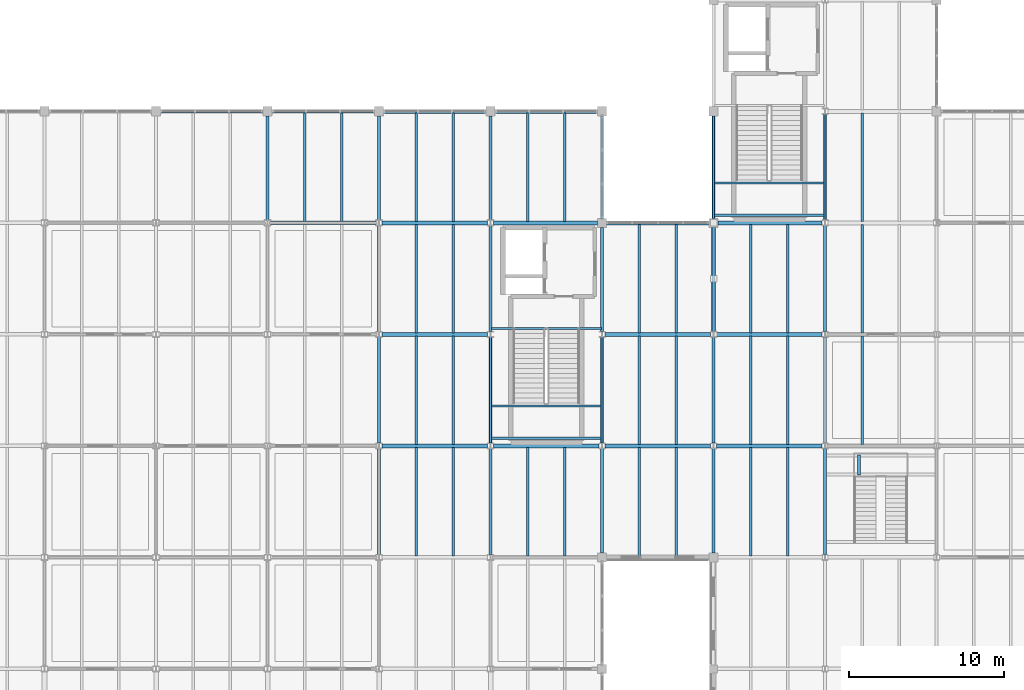
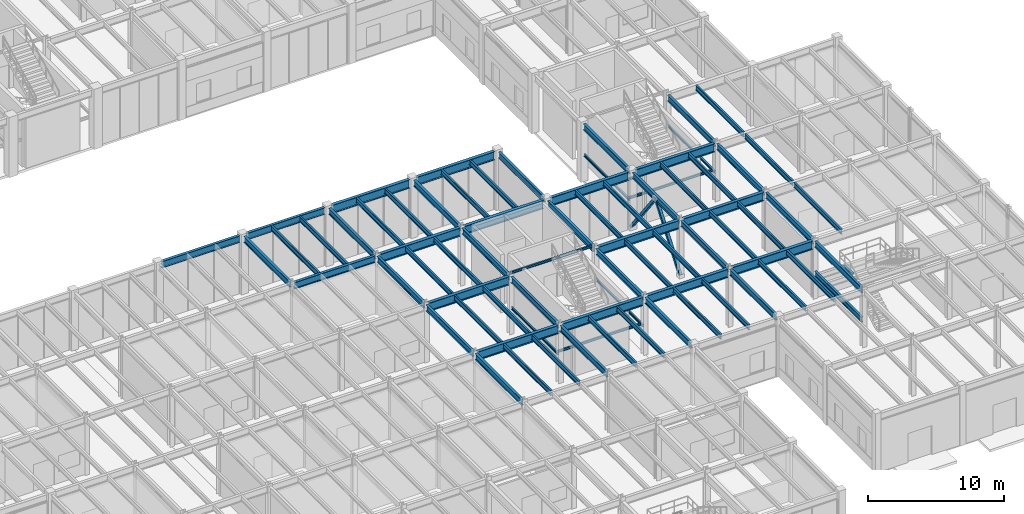
# One storey, part 23 of 97: 77 beams, 2 members.
"""IFC4 building model written with IfcOpenShell, lengths in metres."""

from ifc_helpers import new_model, si_unit, direction, frame, origin, origin_2d, place, context, subcontext, project, spatial, hollow_rectangle, i_section, extrude, material, material_profile, profile_set, type_object, element, save


model = new_model("IFC4")

# Units and contexts
model_context = context("Model", 3, precision=1e-05, world=origin(), true_north=direction((0.0, 1.0)))
body_context = subcontext(model_context, "Body", "Model", "MODEL_VIEW")
ifc_project = project(units=[si_unit("LENGTHUNIT", "METRE"), si_unit("AREAUNIT", "SQUARE_METRE"), si_unit("VOLUMEUNIT", "CUBIC_METRE"), si_unit("PLANEANGLEUNIT", "RADIAN"), si_unit("MASSUNIT", "GRAM", prefix="KILO")], contexts=[model_context])

# Site, building, storey
site_placement = place(None, origin())
site = spatial("IfcSite", under=ifc_project, at=site_placement, CompositionType="ELEMENT")
building_placement = place(site_placement, origin())
building = spatial("IfcBuilding", under=site, at=building_placement, Name="Sillqori Civic Hall", CompositionType="ELEMENT")
storey_placement = place(building_placement, origin())
storey = spatial("IfcBuildingStorey", under=building, at=storey_placement, Name="L01", CompositionType="ELEMENT", Elevation=0.0)

# Beams
ifc_material_1 = material(Name="Steel ASTM A992", Category="steel")
ifc_material_profile_1 = material_profile(ifc_material_1, i_section(OverallWidth=0.19091796875, OverallDepth=0.4599609375, WebThickness=0.010009765625, FlangeThickness=0.01611328125, FilletRadius=0.012939453125, at=origin_2d()), Name="W18X55")
ifc_profile_set_1 = profile_set([ifc_material_profile_1], Name="Steel ASTM A992")
beam_type_1 = type_object("IfcBeamType", Name="BM-W18X55", PredefinedType="BEAM", material=ifc_profile_set_1)
beam_1_placement = place(storey_placement, frame((129.60009765625, 28.97802734375, 2.27490234375), z_axis=(0.0, 1.0, 0.0), x_axis=(-1.0, 0.0, 0.0)))
element("IfcBeam", 1, at=beam_1_placement, inside=storey, type_object=beam_type_1, Name="Members Library Reading Stair L01-L02 landing stringer girder W", PredefinedType="BEAM", context=body_context, shape_type="SweptSolid", body=[
    extrude(i_section(OverallWidth=0.19091796875, OverallDepth=0.4599609375, WebThickness=0.010009765625, FlangeThickness=0.01611328125, FilletRadius=0.012939453125, at=origin_2d()), origin(), (0.0, 0.0, 1.0), 6.840087890625),
])
beam_2_placement = place(storey_placement, frame((131.800048828125, 34.1201171875, 2.27490234375), z_axis=(0.0, 1.0, 0.0), x_axis=(-1.0, 0.0, 0.0)))
element("IfcBeam", 2, at=beam_2_placement, inside=storey, type_object=beam_type_1, Name="Members Library Reading Stair L01-L02 half-landing spine rib", PredefinedType="BEAM", context=body_context, shape_type="SweptSolid", body=[
    extrude(i_section(OverallWidth=0.19091796875, OverallDepth=0.4599609375, WebThickness=0.010009765625, FlangeThickness=0.01611328125, FilletRadius=0.012939453125, at=origin_2d()), origin(), (0.0, 0.0, 1.0), 1.289794921875),
])
ifc_material_profile_2 = material_profile(ifc_material_1, i_section(OverallWidth=0.2099609375, OverallDepth=0.532958984375, WebThickness=0.01025390625, FlangeThickness=0.015625, FilletRadius=0.013916015625, at=origin_2d()), Name="W21X62")
ifc_profile_set_2 = profile_set([ifc_material_profile_2], Name="Steel ASTM A992")
beam_type_2 = type_object("IfcBeamType", Name="BM-W21X62", PredefinedType="BEAM", material=ifc_profile_set_2)
beam_3_placement = place(storey_placement, frame((93.60009765625, 50.58203125, 4.93359375), z_axis=(0.0, 1.0, 0.0), x_axis=(-1.0, 0.0, 0.0)))
element("IfcBeam", 3, at=beam_3_placement, inside=storey, type_object=beam_type_2, Name="L01 girder Y 13-7", PredefinedType="BEAM", context=body_context, shape_type="SweptSolid", body=[
    extrude(i_section(OverallWidth=0.2099609375, OverallDepth=0.532958984375, WebThickness=0.01025390625, FlangeThickness=0.015625, FilletRadius=0.013916015625, at=origin_2d()), origin(), (0.0, 0.0, 1.0), 6.723876953125),
])
for number, where, z_axis, x_axis, name in (
    (4, (100.800048828125, 28.98193359375, 4.93359375), (0.0, 1.0, 0.0), (-1.0, 0.0, 0.0), "L01 girder Y 14-4"),
    (5, (100.800048828125, 36.181884765625, 4.93359375), (0.0, 1.0, 0.0), (-1.0, 0.0, 0.0), "L01 girder Y 14-5"),
):
    element("IfcBeam", number, at=place(storey_placement, frame(where, z_axis=z_axis, x_axis=x_axis)), inside=storey, type_object=beam_type_2, Name=name, PredefinedType="BEAM", context=body_context, shape_type="SweptSolid", body=[
        extrude(i_section(OverallWidth=0.2099609375, OverallDepth=0.532958984375, WebThickness=0.01025390625, FlangeThickness=0.015625, FilletRadius=0.013916015625, at=origin_2d()), origin(), (0.0, 0.0, 1.0), 6.836181640625),
    ])
beam_4_placement = place(storey_placement, frame((100.800048828125, 43.382080078125, 4.93359375), z_axis=(0.0, 1.0, 0.0), x_axis=(-1.0, 0.0, 0.0)))
element("IfcBeam", 6, at=beam_4_placement, inside=storey, type_object=beam_type_2, Name="L01 girder Y 14-6", PredefinedType="BEAM", context=body_context, shape_type="SweptSolid", body=[
    extrude(i_section(OverallWidth=0.2099609375, OverallDepth=0.532958984375, WebThickness=0.01025390625, FlangeThickness=0.015625, FilletRadius=0.013916015625, at=origin_2d()), origin(), (0.0, 0.0, 1.0), 6.8359375),
])
beam_5_placement = place(storey_placement, frame((100.800048828125, 50.58203125, 4.93359375), z_axis=(0.0, 1.0, 0.0), x_axis=(-1.0, 0.0, 0.0)))
element("IfcBeam", 7, at=beam_5_placement, inside=storey, type_object=beam_type_2, Name="L01 girder Y 14-7", PredefinedType="BEAM", context=body_context, shape_type="SweptSolid", body=[
    extrude(i_section(OverallWidth=0.2099609375, OverallDepth=0.532958984375, WebThickness=0.01025390625, FlangeThickness=0.015625, FilletRadius=0.013916015625, at=origin_2d()), origin(), (0.0, 0.0, 1.0), 6.723876953125),
])
for number, where, z_axis, x_axis, name in (
    (8, (108.0, 28.98193359375, 4.93359375), (0.0, 1.0, 0.0), (-1.0, 0.0, 0.0), "L01 girder Y 15-4"),
    (9, (108.0, 36.181884765625, 4.93359375), (0.0, 1.0, 0.0), (-1.0, 0.0, 0.0), "L01 girder Y 15-5"),
):
    element("IfcBeam", number, at=place(storey_placement, frame(where, z_axis=z_axis, x_axis=x_axis)), inside=storey, type_object=beam_type_2, Name=name, PredefinedType="BEAM", context=body_context, shape_type="SweptSolid", body=[
        extrude(i_section(OverallWidth=0.2099609375, OverallDepth=0.532958984375, WebThickness=0.01025390625, FlangeThickness=0.015625, FilletRadius=0.013916015625, at=origin_2d()), origin(), (0.0, 0.0, 1.0), 6.836181640625),
    ])
beam_6_placement = place(storey_placement, frame((108.0, 43.382080078125, 4.93359375), z_axis=(0.0, 1.0, 0.0), x_axis=(-1.0, 0.0, 0.0)))
element("IfcBeam", 10, at=beam_6_placement, inside=storey, type_object=beam_type_2, Name="L01 girder Y 15-6", PredefinedType="BEAM", context=body_context, shape_type="SweptSolid", body=[
    extrude(i_section(OverallWidth=0.2099609375, OverallDepth=0.532958984375, WebThickness=0.01025390625, FlangeThickness=0.015625, FilletRadius=0.013916015625, at=origin_2d()), origin(), (0.0, 0.0, 1.0), 6.8359375),
])
beam_7_placement = place(storey_placement, frame((108.0, 50.58203125, 4.93359375), z_axis=(0.0, 1.0, 0.0), x_axis=(-1.0, 0.0, 0.0)))
element("IfcBeam", 11, at=beam_7_placement, inside=storey, type_object=beam_type_2, Name="L01 girder Y 15-7", PredefinedType="BEAM", context=body_context, shape_type="SweptSolid", body=[
    extrude(i_section(OverallWidth=0.2099609375, OverallDepth=0.532958984375, WebThickness=0.01025390625, FlangeThickness=0.015625, FilletRadius=0.013916015625, at=origin_2d()), origin(), (0.0, 0.0, 1.0), 6.723876953125),
])
beam_8_placement = place(storey_placement, frame((115.199951171875, 29.093994140625, 4.93359375), z_axis=(0.0, 1.0, 0.0), x_axis=(-1.0, 0.0, 0.0)))
element("IfcBeam", 12, at=beam_8_placement, inside=storey, type_object=beam_type_2, Name="L01 girder Y 16-4", PredefinedType="BEAM", context=body_context, shape_type="SweptSolid", body=[
    extrude(i_section(OverallWidth=0.2099609375, OverallDepth=0.532958984375, WebThickness=0.01025390625, FlangeThickness=0.015625, FilletRadius=0.013916015625, at=origin_2d()), origin(), (0.0, 0.0, 1.0), 6.72412109375),
])
beam_9_placement = place(storey_placement, frame((115.199951171875, 36.181884765625, 4.93359375), z_axis=(0.0, 1.0, 0.0), x_axis=(-1.0, 0.0, 0.0)))
element("IfcBeam", 13, at=beam_9_placement, inside=storey, type_object=beam_type_2, Name="L01 girder Y 16-5", PredefinedType="BEAM", context=body_context, shape_type="SweptSolid", body=[
    extrude(i_section(OverallWidth=0.2099609375, OverallDepth=0.532958984375, WebThickness=0.01025390625, FlangeThickness=0.015625, FilletRadius=0.013916015625, at=origin_2d()), origin(), (0.0, 0.0, 1.0), 6.836181640625),
])
beam_10_placement = place(storey_placement, frame((115.199951171875, 43.382080078125, 4.93359375), z_axis=(0.0, 1.0, 0.0), x_axis=(-1.0, 0.0, 0.0)))
element("IfcBeam", 14, at=beam_10_placement, inside=storey, type_object=beam_type_2, Name="L01 girder Y 16-6", PredefinedType="BEAM", context=body_context, shape_type="SweptSolid", body=[
    extrude(i_section(OverallWidth=0.2099609375, OverallDepth=0.532958984375, WebThickness=0.01025390625, FlangeThickness=0.015625, FilletRadius=0.013916015625, at=origin_2d()), origin(), (0.0, 0.0, 1.0), 6.723876953125),
])
beam_11_placement = place(storey_placement, frame((115.199951171875, 50.694091796875, 4.93359375), z_axis=(0.0, 1.0, 0.0), x_axis=(-1.0, 0.0, 0.0)))
element("IfcBeam", 15, at=beam_11_placement, inside=storey, type_object=beam_type_2, Name="L01 girder Y 16-7", PredefinedType="BEAM", context=body_context, shape_type="SweptSolid", body=[
    extrude(i_section(OverallWidth=0.2099609375, OverallDepth=0.532958984375, WebThickness=0.01025390625, FlangeThickness=0.015625, FilletRadius=0.013916015625, at=origin_2d()), origin(), (0.0, 0.0, 1.0), 6.61181640625),
])
beam_12_placement = place(storey_placement, frame((122.39990234375, 29.093994140625, 4.93359375), z_axis=(0.0, 1.0, 0.0), x_axis=(-1.0, 0.0, 0.0)))
element("IfcBeam", 16, at=beam_12_placement, inside=storey, type_object=beam_type_2, Name="L01 girder Y 17-4", PredefinedType="BEAM", context=body_context, shape_type="SweptSolid", body=[
    extrude(i_section(OverallWidth=0.2099609375, OverallDepth=0.532958984375, WebThickness=0.01025390625, FlangeThickness=0.015625, FilletRadius=0.013916015625, at=origin_2d()), origin(), (0.0, 0.0, 1.0), 6.72412109375),
])
beam_13_placement = place(storey_placement, frame((122.39990234375, 36.181884765625, 4.93359375), z_axis=(0.0, 1.0, 0.0), x_axis=(-1.0, 0.0, 0.0)))
element("IfcBeam", 17, at=beam_13_placement, inside=storey, type_object=beam_type_2, Name="L01 girder Y 17-5", PredefinedType="BEAM", context=body_context, shape_type="SweptSolid", body=[
    extrude(i_section(OverallWidth=0.2099609375, OverallDepth=0.532958984375, WebThickness=0.01025390625, FlangeThickness=0.015625, FilletRadius=0.013916015625, at=origin_2d()), origin(), (0.0, 0.0, 1.0), 6.836181640625),
])
beam_14_placement = place(storey_placement, frame((122.39990234375, 43.382080078125, 4.93359375), z_axis=(0.0, 1.0, 0.0), x_axis=(-1.0, 0.0, 0.0)))
element("IfcBeam", 18, at=beam_14_placement, inside=storey, type_object=beam_type_2, Name="L01 girder Y 17-6", PredefinedType="BEAM", context=body_context, shape_type="SweptSolid", body=[
    extrude(i_section(OverallWidth=0.2099609375, OverallDepth=0.532958984375, WebThickness=0.01025390625, FlangeThickness=0.015625, FilletRadius=0.013916015625, at=origin_2d()), origin(), (0.0, 0.0, 1.0), 6.723876953125),
])
beam_15_placement = place(storey_placement, frame((122.39990234375, 50.694091796875, 4.93359375), z_axis=(0.0, 1.0, 0.0), x_axis=(-1.0, 0.0, 0.0)))
element("IfcBeam", 19, at=beam_15_placement, inside=storey, type_object=beam_type_2, Name="L01 girder Y 17-7", PredefinedType="BEAM", context=body_context, shape_type="SweptSolid", body=[
    extrude(i_section(OverallWidth=0.2099609375, OverallDepth=0.532958984375, WebThickness=0.01025390625, FlangeThickness=0.015625, FilletRadius=0.013916015625, at=origin_2d()), origin(), (0.0, 0.0, 1.0), 6.61181640625),
])
beam_16_placement = place(storey_placement, frame((129.60009765625, 28.97802734375, 4.93359375), z_axis=(0.0, 1.0, 0.0), x_axis=(-1.0, 0.0, 0.0)))
element("IfcBeam", 20, at=beam_16_placement, inside=storey, type_object=beam_type_2, Name="L01 girder Y 18-4", PredefinedType="BEAM", context=body_context, shape_type="SweptSolid", body=[
    extrude(i_section(OverallWidth=0.2099609375, OverallDepth=0.532958984375, WebThickness=0.01025390625, FlangeThickness=0.015625, FilletRadius=0.013916015625, at=origin_2d()), origin(), (0.0, 0.0, 1.0), 6.840087890625),
])
beam_17_placement = place(storey_placement, frame((129.60009765625, 36.181884765625, 4.93359375), z_axis=(0.0, 1.0, 0.0), x_axis=(-1.0, 0.0, 0.0)))
element("IfcBeam", 21, at=beam_17_placement, inside=storey, type_object=beam_type_2, Name="L01 girder Y 18-5", PredefinedType="BEAM", context=body_context, shape_type="SweptSolid", body=[
    extrude(i_section(OverallWidth=0.2099609375, OverallDepth=0.532958984375, WebThickness=0.01025390625, FlangeThickness=0.015625, FilletRadius=0.013916015625, at=origin_2d()), origin(), (0.0, 0.0, 1.0), 6.836181640625),
])
for number, where, z_axis, x_axis, name in (
    (22, (129.60009765625, 43.382080078125, 4.93359375), (0.0, 1.0, 0.0), (-1.0, 0.0, 0.0), "L01 girder Y 18-6"),
    (23, (129.60009765625, 50.58203125, 4.93359375), (0.0, 1.0, 0.0), (-1.0, 0.0, 0.0), "L01 girder Y 18-7"),
):
    element("IfcBeam", number, at=place(storey_placement, frame(where, z_axis=z_axis, x_axis=x_axis)), inside=storey, type_object=beam_type_2, Name=name, PredefinedType="BEAM", context=body_context, shape_type="SweptSolid", body=[
        extrude(i_section(OverallWidth=0.2099609375, OverallDepth=0.532958984375, WebThickness=0.01025390625, FlangeThickness=0.015625, FilletRadius=0.013916015625, at=origin_2d()), origin(), (0.0, 0.0, 1.0), 6.8359375),
    ])
ifc_material_profile_3 = material_profile(ifc_material_1, i_section(OverallWidth=0.22802734375, OverallDepth=0.60205078125, WebThickness=0.010498046875, FlangeThickness=0.014892578125, FilletRadius=0.014892578125, at=origin_2d()), Name="W24X68")
ifc_profile_set_3 = profile_set([ifc_material_profile_3], Name="Steel ASTM A992")
beam_type_3 = type_object("IfcBeamType", Name="BM-W24X68", PredefinedType="BEAM", material=ifc_profile_set_3)
beam_18_placement = place(storey_placement, frame((86.694091796875, 57.60009765625, 4.89892578125), z_axis=(1.0, 0.0, 0.0), x_axis=(0.0, 1.0, 0.0)))
element("IfcBeam", 24, at=beam_18_placement, inside=storey, type_object=beam_type_3, Name="L01 girder X 12-8", PredefinedType="BEAM", context=body_context, shape_type="SweptSolid", body=[
    extrude(i_section(OverallWidth=0.22802734375, OverallDepth=0.60205078125, WebThickness=0.010498046875, FlangeThickness=0.014892578125, FilletRadius=0.014892578125, at=origin_2d()), origin(), (0.0, 0.0, 1.0), 6.61181640625),
])
beam_19_placement = place(storey_placement, frame((93.791015625, 50.39990234375, 4.89892578125), z_axis=(1.0, 0.0, 0.0), x_axis=(0.0, 1.0, 0.0)))
element("IfcBeam", 25, at=beam_19_placement, inside=storey, type_object=beam_type_3, Name="L01 girder X 13-7", PredefinedType="BEAM", context=body_context, shape_type="SweptSolid", body=[
    extrude(i_section(OverallWidth=0.22802734375, OverallDepth=0.60205078125, WebThickness=0.010498046875, FlangeThickness=0.014892578125, FilletRadius=0.014892578125, at=origin_2d()), origin(), (0.0, 0.0, 1.0), 6.81787109375),
])
beam_20_placement = place(storey_placement, frame((93.89404296875, 57.60009765625, 4.89892578125), z_axis=(1.0, 0.0, 0.0), x_axis=(0.0, 1.0, 0.0)))
element("IfcBeam", 26, at=beam_20_placement, inside=storey, type_object=beam_type_3, Name="L01 girder X 13-8", PredefinedType="BEAM", context=body_context, shape_type="SweptSolid", body=[
    extrude(i_section(OverallWidth=0.22802734375, OverallDepth=0.60205078125, WebThickness=0.010498046875, FlangeThickness=0.014892578125, FilletRadius=0.014892578125, at=origin_2d()), origin(), (0.0, 0.0, 1.0), 6.612060546875),
])
ifc_material_profile_4 = material_profile(ifc_material_1, i_section(OverallWidth=0.26708984375, OverallDepth=0.761962890625, WebThickness=0.014404296875, FlangeThickness=0.021484375, FilletRadius=0.01708984375, at=origin_2d()), Name="W30X116")
ifc_profile_set_4 = profile_set([ifc_material_profile_4], Name="Steel ASTM A992")
beam_type_4 = type_object("IfcBeamType", Name="BM-W30X116", PredefinedType="BEAM", material=ifc_profile_set_4)
for number, where, z_axis, x_axis, name in (
    (27, (100.990966796875, 36.0, 4.819091796875), (1.0, 0.0, 0.0), (0.0, 1.0, 0.0), "L01 girder X 14-5"),
    (28, (100.990966796875, 43.199951171875, 4.819091796875), (1.0, 0.0, 0.0), (0.0, 1.0, 0.0), "L01 girder X 14-6"),
    (29, (100.990966796875, 50.39990234375, 4.819091796875), (1.0, 0.0, 0.0), (0.0, 1.0, 0.0), "L01 girder X 14-7"),
):
    element("IfcBeam", number, at=place(storey_placement, frame(where, z_axis=z_axis, x_axis=x_axis)), inside=storey, type_object=beam_type_4, Name=name, PredefinedType="BEAM", context=body_context, shape_type="SweptSolid", body=[
        extrude(i_section(OverallWidth=0.26708984375, OverallDepth=0.761962890625, WebThickness=0.014404296875, FlangeThickness=0.021484375, FilletRadius=0.01708984375, at=origin_2d()), origin(), (0.0, 0.0, 1.0), 6.818115234375),
    ])
beam_21_placement = place(storey_placement, frame((101.093994140625, 57.60009765625, 4.819091796875), z_axis=(1.0, 0.0, 0.0), x_axis=(0.0, 1.0, 0.0)))
element("IfcBeam", 30, at=beam_21_placement, inside=storey, type_object=beam_type_4, Name="L01 girder X 14-8", PredefinedType="BEAM", context=body_context, shape_type="SweptSolid", body=[
    extrude(i_section(OverallWidth=0.26708984375, OverallDepth=0.761962890625, WebThickness=0.014404296875, FlangeThickness=0.021484375, FilletRadius=0.01708984375, at=origin_2d()), origin(), (0.0, 0.0, 1.0), 6.612060546875),
])
beam_22_placement = place(storey_placement, frame((108.19091796875, 36.0, 4.819091796875), z_axis=(1.0, 0.0, 0.0), x_axis=(0.0, 1.0, 0.0)))
element("IfcBeam", 31, at=beam_22_placement, inside=storey, type_object=beam_type_4, Name="L01 girder X 15-5", PredefinedType="BEAM", context=body_context, shape_type="SweptSolid", body=[
    extrude(i_section(OverallWidth=0.26708984375, OverallDepth=0.761962890625, WebThickness=0.014404296875, FlangeThickness=0.021484375, FilletRadius=0.01708984375, at=origin_2d()), origin(), (0.0, 0.0, 1.0), 6.818115234375),
])
beam_23_placement = place(storey_placement, frame((108.19091796875, 50.39990234375, 4.819091796875), z_axis=(1.0, 0.0, 0.0), x_axis=(0.0, 1.0, 0.0)))
element("IfcBeam", 32, at=beam_23_placement, inside=storey, type_object=beam_type_4, Name="L01 girder X 15-7", PredefinedType="BEAM", context=body_context, shape_type="SweptSolid", body=[
    extrude(i_section(OverallWidth=0.26708984375, OverallDepth=0.761962890625, WebThickness=0.014404296875, FlangeThickness=0.021484375, FilletRadius=0.01708984375, at=origin_2d()), origin(), (0.0, 0.0, 1.0), 6.715087890625),
])
beam_24_placement = place(storey_placement, frame((108.2939453125, 57.60009765625, 4.819091796875), z_axis=(1.0, 0.0, 0.0), x_axis=(0.0, 1.0, 0.0)))
element("IfcBeam", 33, at=beam_24_placement, inside=storey, type_object=beam_type_4, Name="L01 girder X 15-8", PredefinedType="BEAM", context=body_context, shape_type="SweptSolid", body=[
    extrude(i_section(OverallWidth=0.26708984375, OverallDepth=0.761962890625, WebThickness=0.014404296875, FlangeThickness=0.021484375, FilletRadius=0.01708984375, at=origin_2d()), origin(), (0.0, 0.0, 1.0), 6.612060546875),
])
for number, where, z_axis, x_axis, name in (
    (34, (115.39111328125, 36.0, 4.819091796875), (1.0, 0.0, 0.0), (0.0, 1.0, 0.0), "L01 girder X 16-5"),
    (35, (115.39111328125, 43.199951171875, 4.819091796875), (1.0, 0.0, 0.0), (0.0, 1.0, 0.0), "L01 girder X 16-6"),
):
    element("IfcBeam", number, at=place(storey_placement, frame(where, z_axis=z_axis, x_axis=x_axis)), inside=storey, type_object=beam_type_4, Name=name, PredefinedType="BEAM", context=body_context, shape_type="SweptSolid", body=[
        extrude(i_section(OverallWidth=0.26708984375, OverallDepth=0.761962890625, WebThickness=0.014404296875, FlangeThickness=0.021484375, FilletRadius=0.01708984375, at=origin_2d()), origin(), (0.0, 0.0, 1.0), 6.81787109375),
    ])
beam_25_placement = place(storey_placement, frame((115.493896484375, 50.39990234375, 4.819091796875), z_axis=(1.0, 0.0, 0.0), x_axis=(0.0, 1.0, 0.0)))
element("IfcBeam", 36, at=beam_25_placement, inside=storey, type_object=beam_type_4, Name="L01 girder X 16-7", PredefinedType="BEAM", context=body_context, shape_type="SweptSolid", body=[
    extrude(i_section(OverallWidth=0.26708984375, OverallDepth=0.761962890625, WebThickness=0.014404296875, FlangeThickness=0.021484375, FilletRadius=0.01708984375, at=origin_2d()), origin(), (0.0, 0.0, 1.0), 6.612060546875),
])
for number, where, z_axis, x_axis, name in (
    (37, (122.591064453125, 36.0, 4.819091796875), (1.0, 0.0, 0.0), (0.0, 1.0, 0.0), "L01 girder X 17-5"),
    (38, (122.591064453125, 43.199951171875, 4.819091796875), (1.0, 0.0, 0.0), (0.0, 1.0, 0.0), "L01 girder X 17-6"),
):
    element("IfcBeam", number, at=place(storey_placement, frame(where, z_axis=z_axis, x_axis=x_axis)), inside=storey, type_object=beam_type_4, Name=name, PredefinedType="BEAM", context=body_context, shape_type="SweptSolid", body=[
        extrude(i_section(OverallWidth=0.26708984375, OverallDepth=0.761962890625, WebThickness=0.014404296875, FlangeThickness=0.021484375, FilletRadius=0.01708984375, at=origin_2d()), origin(), (0.0, 0.0, 1.0), 6.81787109375),
    ])
beam_26_placement = place(storey_placement, frame((122.694091796875, 50.39990234375, 4.819091796875), z_axis=(1.0, 0.0, 0.0), x_axis=(0.0, 1.0, 0.0)))
element("IfcBeam", 39, at=beam_26_placement, inside=storey, type_object=beam_type_4, Name="L01 girder X 17-7", PredefinedType="BEAM", context=body_context, shape_type="SweptSolid", body=[
    extrude(i_section(OverallWidth=0.26708984375, OverallDepth=0.761962890625, WebThickness=0.014404296875, FlangeThickness=0.021484375, FilletRadius=0.01708984375, at=origin_2d()), origin(), (0.0, 0.0, 1.0), 6.71484375),
])

# Members
ifc_material_2 = material(Name="Steel ASTM A500 Grade C", Category="steel")
ifc_material_profile_5 = material_profile(ifc_material_2, hollow_rectangle(XDim=0.25, YDim=0.25, WallThickness=0.011962890625, InnerFilletRadius=0.011962890625, OuterFilletRadius=0.02392578125, at=origin_2d()), Name="HSS250X250X12")
ifc_profile_set_5 = profile_set([ifc_material_profile_5], Name="Steel ASTM A500 Grade C")
member_type = type_object("IfcMemberType", Name="BR-HSS250", PredefinedType="BRACE", material=ifc_profile_set_5)
member_1_placement = place(storey_placement, frame((122.39990234375, 43.199951171875, 0.14990234375), z_axis=(0.0, 0.60402960076, 0.796961882028), x_axis=(-1.0, 0.0, 0.0)))
element("IfcMember", 40, at=member_1_placement, inside=storey, type_object=member_type, Name="L01 seismic chevron brace L Y17-6", PredefinedType="BRACE", context=body_context, shape_type="SweptSolid", body=[
    extrude(hollow_rectangle(XDim=0.25, YDim=0.25, WallThickness=0.011962890625, InnerFilletRadius=0.011962890625, OuterFilletRadius=0.02392578125, at=origin_2d()), origin(), (0.0, 0.0, 1.0), 5.960205078125),
])
member_2_placement = place(storey_placement, frame((122.39990234375, 50.39990234375, 0.14990234375), z_axis=(0.0, -0.604003582682, 0.796981600859), x_axis=(1.0, 0.0, 0.0)))
element("IfcMember", 41, at=member_2_placement, inside=storey, type_object=member_type, Name="L01 seismic chevron brace R Y17-6", PredefinedType="BRACE", context=body_context, shape_type="SweptSolid", body=[
    extrude(hollow_rectangle(XDim=0.25, YDim=0.25, WallThickness=0.011962890625, InnerFilletRadius=0.011962890625, OuterFilletRadius=0.02392578125, at=origin_2d()), origin(), (0.0, 0.0, 1.0), 5.9599609375),
])

# Beams
ifc_material_profile_6 = material_profile(ifc_material_1, i_section(OverallWidth=0.153076171875, OverallDepth=0.455078125, WebThickness=0.008056640625, FlangeThickness=0.01318359375, FilletRadius=0.012939453125, at=origin_2d()), Name="W18X40")
ifc_profile_set_6 = profile_set([ifc_material_profile_6], Name="Steel ASTM A992")
beam_type_5 = type_object("IfcBeamType", Name="JS-W18X40", PredefinedType="JOIST", material=ifc_profile_set_6)
for number, where, z_axis, x_axis, name in (
    (42, (96.0, 50.4951171875, 4.972412109375), (0.0, 1.0, 0.0), (-1.0, 0.0, 0.0), "L01 composite joist 13-7.1"),
    (43, (98.39990234375, 50.4951171875, 4.972412109375), (0.0, 1.0, 0.0), (-1.0, 0.0, 0.0), "L01 composite joist 13-7.2"),
):
    element("IfcBeam", number, at=place(storey_placement, frame(where, z_axis=z_axis, x_axis=x_axis)), inside=storey, type_object=beam_type_5, Name=name, PredefinedType="JOIST", context=body_context, shape_type="SweptSolid", body=[
        extrude(i_section(OverallWidth=0.153076171875, OverallDepth=0.455078125, WebThickness=0.008056640625, FlangeThickness=0.01318359375, FilletRadius=0.012939453125, at=origin_2d()), origin(), (0.0, 0.0, 1.0), 7.009765625),
    ])
for number, where, z_axis, x_axis, name in (
    (44, (103.199951171875, 28.89501953125, 4.972412109375), (0.0, 1.0, 0.0), (-1.0, 0.0, 0.0), "L01 composite joist 14-4.1"),
    (45, (105.60009765625, 28.89501953125, 4.972412109375), (0.0, 1.0, 0.0), (-1.0, 0.0, 0.0), "L01 composite joist 14-4.2"),
    (46, (103.199951171875, 36.094970703125, 4.972412109375), (0.0, 1.0, 0.0), (-1.0, 0.0, 0.0), "L01 composite joist 14-5.1"),
    (47, (105.60009765625, 36.094970703125, 4.972412109375), (0.0, 1.0, 0.0), (-1.0, 0.0, 0.0), "L01 composite joist 14-5.2"),
    (48, (103.199951171875, 43.294921875, 4.972412109375), (0.0, 1.0, 0.0), (-1.0, 0.0, 0.0), "L01 composite joist 14-6.1"),
    (49, (105.60009765625, 43.294921875, 4.972412109375), (0.0, 1.0, 0.0), (-1.0, 0.0, 0.0), "L01 composite joist 14-6.2"),
):
    element("IfcBeam", number, at=place(storey_placement, frame(where, z_axis=z_axis, x_axis=x_axis)), inside=storey, type_object=beam_type_5, Name=name, PredefinedType="JOIST", context=body_context, shape_type="SweptSolid", body=[
        extrude(i_section(OverallWidth=0.153076171875, OverallDepth=0.455078125, WebThickness=0.008056640625, FlangeThickness=0.01318359375, FilletRadius=0.012939453125, at=origin_2d()), origin(), (0.0, 0.0, 1.0), 7.010009765625),
    ])
for number, where, z_axis, x_axis, name in (
    (50, (103.199951171875, 50.4951171875, 4.972412109375), (0.0, 1.0, 0.0), (-1.0, 0.0, 0.0), "L01 composite joist 14-7.1"),
    (51, (105.60009765625, 50.4951171875, 4.972412109375), (0.0, 1.0, 0.0), (-1.0, 0.0, 0.0), "L01 composite joist 14-7.2"),
):
    element("IfcBeam", number, at=place(storey_placement, frame(where, z_axis=z_axis, x_axis=x_axis)), inside=storey, type_object=beam_type_5, Name=name, PredefinedType="JOIST", context=body_context, shape_type="SweptSolid", body=[
        extrude(i_section(OverallWidth=0.153076171875, OverallDepth=0.455078125, WebThickness=0.008056640625, FlangeThickness=0.01318359375, FilletRadius=0.012939453125, at=origin_2d()), origin(), (0.0, 0.0, 1.0), 7.009765625),
    ])
for number, where, z_axis, x_axis, name in (
    (52, (110.39990234375, 28.89501953125, 4.972412109375), (0.0, 1.0, 0.0), (-1.0, 0.0, 0.0), "L01 composite joist 15-4.1"),
    (53, (112.800048828125, 28.89501953125, 4.972412109375), (0.0, 1.0, 0.0), (-1.0, 0.0, 0.0), "L01 composite joist 15-4.2"),
):
    element("IfcBeam", number, at=place(storey_placement, frame(where, z_axis=z_axis, x_axis=x_axis)), inside=storey, type_object=beam_type_5, Name=name, PredefinedType="JOIST", context=body_context, shape_type="SweptSolid", body=[
        extrude(i_section(OverallWidth=0.153076171875, OverallDepth=0.455078125, WebThickness=0.008056640625, FlangeThickness=0.01318359375, FilletRadius=0.012939453125, at=origin_2d()), origin(), (0.0, 0.0, 1.0), 7.010009765625),
    ])
for number, where, z_axis, x_axis, name in (
    (54, (110.39990234375, 50.4951171875, 4.972412109375), (0.0, 1.0, 0.0), (-1.0, 0.0, 0.0), "L01 composite joist 15-7.1"),
    (55, (112.800048828125, 50.4951171875, 4.972412109375), (0.0, 1.0, 0.0), (-1.0, 0.0, 0.0), "L01 composite joist 15-7.2"),
):
    element("IfcBeam", number, at=place(storey_placement, frame(where, z_axis=z_axis, x_axis=x_axis)), inside=storey, type_object=beam_type_5, Name=name, PredefinedType="JOIST", context=body_context, shape_type="SweptSolid", body=[
        extrude(i_section(OverallWidth=0.153076171875, OverallDepth=0.455078125, WebThickness=0.008056640625, FlangeThickness=0.01318359375, FilletRadius=0.012939453125, at=origin_2d()), origin(), (0.0, 0.0, 1.0), 7.009765625),
    ])
for number, where, z_axis, x_axis, name in (
    (56, (117.60009765625, 28.89501953125, 4.972412109375), (0.0, 1.0, 0.0), (-1.0, 0.0, 0.0), "L01 composite joist 16-4.1"),
    (57, (120.0, 28.89501953125, 4.972412109375), (0.0, 1.0, 0.0), (-1.0, 0.0, 0.0), "L01 composite joist 16-4.2"),
    (58, (117.60009765625, 36.094970703125, 4.972412109375), (0.0, 1.0, 0.0), (-1.0, 0.0, 0.0), "L01 composite joist 16-5.1"),
    (59, (120.0, 36.094970703125, 4.972412109375), (0.0, 1.0, 0.0), (-1.0, 0.0, 0.0), "L01 composite joist 16-5.2"),
    (60, (117.60009765625, 43.294921875, 4.972412109375), (0.0, 1.0, 0.0), (-1.0, 0.0, 0.0), "L01 composite joist 16-6.1"),
    (61, (120.0, 43.294921875, 4.972412109375), (0.0, 1.0, 0.0), (-1.0, 0.0, 0.0), "L01 composite joist 16-6.2"),
    (62, (124.800048828125, 28.89501953125, 4.972412109375), (0.0, 1.0, 0.0), (-1.0, 0.0, 0.0), "L01 composite joist 17-4.1"),
    (63, (127.199951171875, 28.89501953125, 4.972412109375), (0.0, 1.0, 0.0), (-1.0, 0.0, 0.0), "L01 composite joist 17-4.2"),
    (64, (124.800048828125, 36.094970703125, 4.972412109375), (0.0, 1.0, 0.0), (-1.0, 0.0, 0.0), "L01 composite joist 17-5.1"),
    (65, (127.199951171875, 36.094970703125, 4.972412109375), (0.0, 1.0, 0.0), (-1.0, 0.0, 0.0), "L01 composite joist 17-5.2"),
    (66, (124.800048828125, 43.294921875, 4.972412109375), (0.0, 1.0, 0.0), (-1.0, 0.0, 0.0), "L01 composite joist 17-6.1"),
    (67, (127.199951171875, 43.294921875, 4.972412109375), (0.0, 1.0, 0.0), (-1.0, 0.0, 0.0), "L01 composite joist 17-6.2"),
    (68, (132.0, 36.094970703125, 4.972412109375), (0.0, 1.0, 0.0), (-1.0, 0.0, 0.0), "L01 composite joist 18-5.1"),
    (69, (132.0, 43.294921875, 4.972412109375), (0.0, 1.0, 0.0), (-1.0, 0.0, 0.0), "L01 composite joist 18-6.1"),
):
    element("IfcBeam", number, at=place(storey_placement, frame(where, z_axis=z_axis, x_axis=x_axis)), inside=storey, type_object=beam_type_5, Name=name, PredefinedType="JOIST", context=body_context, shape_type="SweptSolid", body=[
        extrude(i_section(OverallWidth=0.153076171875, OverallDepth=0.455078125, WebThickness=0.008056640625, FlangeThickness=0.01318359375, FilletRadius=0.012939453125, at=origin_2d()), origin(), (0.0, 0.0, 1.0), 7.010009765625),
    ])
beam_27_placement = place(storey_placement, frame((132.0, 50.4951171875, 4.972412109375), z_axis=(0.0, 1.0, 0.0), x_axis=(-1.0, 0.0, 0.0)))
element("IfcBeam", 70, at=beam_27_placement, inside=storey, type_object=beam_type_5, Name="L01 composite joist 18-7.1", PredefinedType="JOIST", context=body_context, shape_type="SweptSolid", body=[
    extrude(i_section(OverallWidth=0.153076171875, OverallDepth=0.455078125, WebThickness=0.008056640625, FlangeThickness=0.01318359375, FilletRadius=0.012939453125, at=origin_2d()), origin(), (0.0, 0.0, 1.0), 7.009765625),
])
ifc_material_profile_7 = material_profile(ifc_material_1, i_section(OverallWidth=0.133056640625, OverallDepth=0.20703125, WebThickness=0.005859375, FlangeThickness=0.00830078125, FilletRadius=0.008056640625, at=origin_2d()), Name="W8X18")
ifc_profile_set_7 = profile_set([ifc_material_profile_7], Name="Steel ASTM A992")
beam_type_6 = type_object("IfcBeamType", Name="LN-W8X18", PredefinedType="LINTEL", material=ifc_profile_set_7)
beam_28_placement = place(storey_placement, frame((122.39990234375, 50.694091796875, 2.382568359375), z_axis=(0.0, 1.0, 0.0), x_axis=(-1.0, 0.0, 0.0)))
element("IfcBeam", 71, at=beam_28_placement, inside=storey, type_object=beam_type_6, Name="L01 grid 17 stair landing stringer 1", PredefinedType="LINTEL", context=body_context, shape_type="SweptSolid", body=[
    extrude(i_section(OverallWidth=0.133056640625, OverallDepth=0.20703125, WebThickness=0.005859375, FlangeThickness=0.00830078125, FilletRadius=0.008056640625, at=origin_2d()), origin(), (0.0, 0.0, 1.0), 6.61181640625),
])
beam_29_placement = place(storey_placement, frame((129.60009765625, 50.58203125, 2.382568359375), z_axis=(0.0, 1.0, 0.0), x_axis=(-1.0, 0.0, 0.0)))
element("IfcBeam", 72, at=beam_29_placement, inside=storey, type_object=beam_type_6, Name="L01 grid 18 stair landing stringer 1", PredefinedType="LINTEL", context=body_context, shape_type="SweptSolid", body=[
    extrude(i_section(OverallWidth=0.133056640625, OverallDepth=0.20703125, WebThickness=0.005859375, FlangeThickness=0.00830078125, FilletRadius=0.008056640625, at=origin_2d()), origin(), (0.0, 0.0, 1.0), 6.8359375),
])
for number, where, z_axis, x_axis, name in (
    (73, (122.449951171875, 50.89501953125, 2.382568359375), (1.0, 0.0, 0.0), (0.0, 1.0, 0.0), "L01 C2 stair half-landing steel ledger 1.1"),
    (74, (122.449951171875, 52.989990234375, 2.382568359375), (1.0, 0.0, 0.0), (0.0, 1.0, 0.0), "L01 C2 stair half-landing steel ledger 1.2"),
):
    element("IfcBeam", number, at=place(storey_placement, frame(where, z_axis=z_axis, x_axis=x_axis)), inside=storey, type_object=beam_type_6, Name=name, PredefinedType="LINTEL", context=body_context, shape_type="SweptSolid", body=[
        extrude(i_section(OverallWidth=0.133056640625, OverallDepth=0.20703125, WebThickness=0.005859375, FlangeThickness=0.00830078125, FilletRadius=0.008056640625, at=origin_2d()), origin(), (0.0, 0.0, 1.0), 7.10009765625),
    ])
for number, where, z_axis, x_axis, name in (
    (75, (108.0, 36.181884765625, 2.382568359375), (0.0, 1.0, 0.0), (-1.0, 0.0, 0.0), "L01 grid 15 stair landing stringer 1"),
    (76, (115.199951171875, 36.181884765625, 2.382568359375), (0.0, 1.0, 0.0), (-1.0, 0.0, 0.0), "L01 grid 16 stair landing stringer 1"),
):
    element("IfcBeam", number, at=place(storey_placement, frame(where, z_axis=z_axis, x_axis=x_axis)), inside=storey, type_object=beam_type_6, Name=name, PredefinedType="LINTEL", context=body_context, shape_type="SweptSolid", body=[
        extrude(i_section(OverallWidth=0.133056640625, OverallDepth=0.20703125, WebThickness=0.005859375, FlangeThickness=0.00830078125, FilletRadius=0.008056640625, at=origin_2d()), origin(), (0.0, 0.0, 1.0), 6.836181640625),
    ])
for number, where, z_axis, x_axis, name in (
    (77, (108.050048828125, 36.4951171875, 2.382568359375), (1.0, 0.0, 0.0), (0.0, 1.0, 0.0), "L01 C3 stair half-landing steel ledger 1.1"),
    (78, (108.050048828125, 38.590087890625, 2.382568359375), (1.0, 0.0, 0.0), (0.0, 1.0, 0.0), "L01 C3 stair half-landing steel ledger 1.2"),
    (79, (108.050048828125, 43.570068359375, 5.1025390625), (1.0, 0.0, 0.0), (0.0, 1.0, 0.0), "L01 C3 stair upper arrival steel trimmer"),
):
    element("IfcBeam", number, at=place(storey_placement, frame(where, z_axis=z_axis, x_axis=x_axis)), inside=storey, type_object=beam_type_6, Name=name, PredefinedType="LINTEL", context=body_context, shape_type="SweptSolid", body=[
        extrude(i_section(OverallWidth=0.133056640625, OverallDepth=0.20703125, WebThickness=0.005859375, FlangeThickness=0.00830078125, FilletRadius=0.008056640625, at=origin_2d()), origin(), (0.0, 0.0, 1.0), 7.099853515625),
    ])

save(model, "model.ifc")
